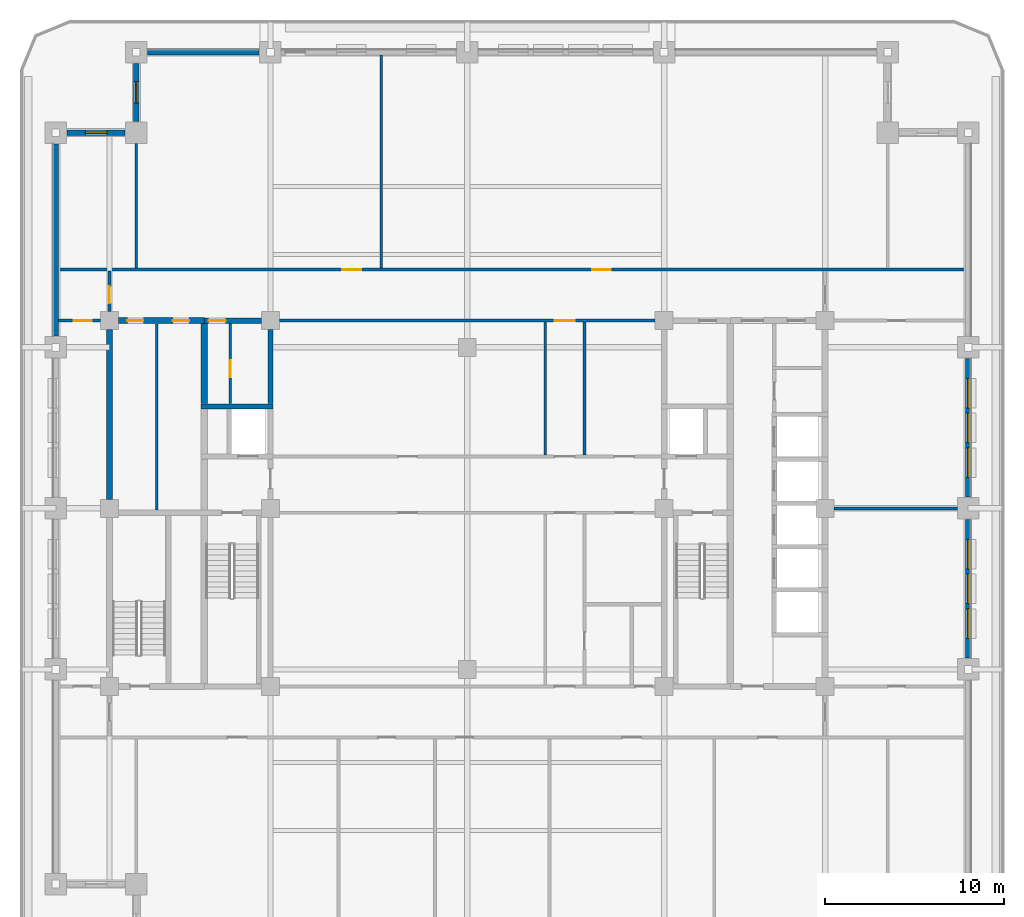
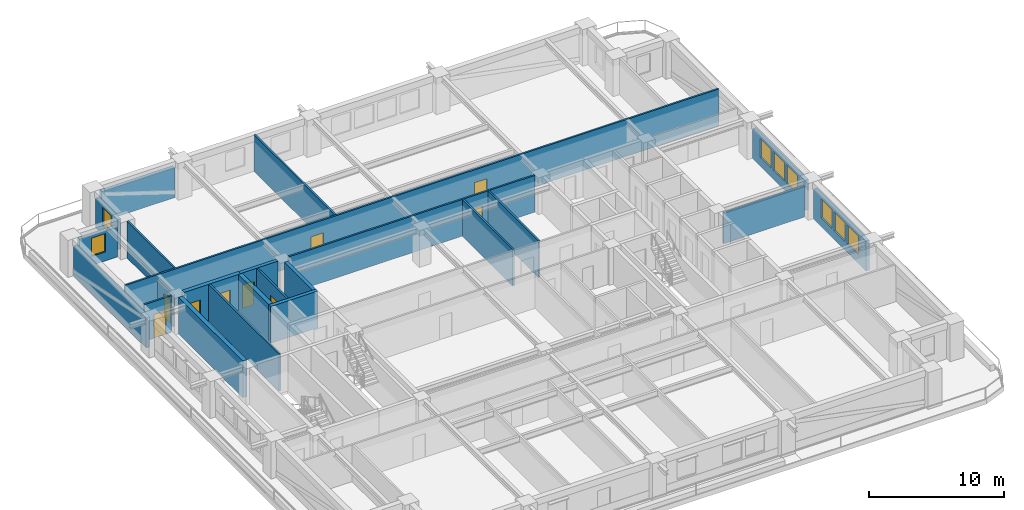
# One storey, part 5 of 13: 23 walls, 9 doors, 8 windows, 17 openings.
"""IFC4 building model written with IfcOpenShell, lengths in metres."""

from ifc_helpers import new_model, si_unit, direction, frame, frame_2d, origin, place, context, subcontext, project, spatial, rectangle, extrude, material, layer, layer_set, type_object, element, fill, save


model = new_model("IFC4")

# Units and contexts
model_context = context("Model", 3, precision=1e-05, world=origin(), true_north=direction((0.0, 1.0)))
body_context = subcontext(model_context, "Body", "Model", "MODEL_VIEW")
ifc_project = project(units=[si_unit("LENGTHUNIT", "METRE"), si_unit("AREAUNIT", "SQUARE_METRE"), si_unit("VOLUMEUNIT", "CUBIC_METRE"), si_unit("PLANEANGLEUNIT", "RADIAN"), si_unit("MASSUNIT", "GRAM", prefix="KILO")], contexts=[model_context])

# Site, building, storey
site_placement = place(None, origin())
site = spatial("IfcSite", under=ifc_project, at=site_placement, CompositionType="ELEMENT")
building_placement = place(site_placement, origin())
building = spatial("IfcBuilding", under=site, at=building_placement, Name="Zulmaris Gate Convention Tower", CompositionType="ELEMENT")
storey_placement = place(building_placement, frame((0.0, 0.0, 109.2099609375)))
storey = spatial("IfcBuildingStorey", under=building, at=storey_placement, Name="L27", CompositionType="ELEMENT", Elevation=109.2099609375)

# Wall
ifc_material_1 = material(Name="Concrete C50/60", Category="concrete")
ifc_layer_1 = layer(ifc_material_1, 0.300048828125, Name="Concrete C50/60")
ifc_layer_set_1 = layer_set([ifc_layer_1], Name="Concrete C50/60")
wall_type_1 = type_object("IfcWallType", Name="CORE-300", PredefinedType="SHEAR", material=ifc_layer_set_1)
wall_1_placement = place(storey_placement, frame((-14.875, 5.699951171875, 0.0), z_axis=(0.0, 0.0, 1.0), x_axis=(1.0, 0.0, 0.0)))
element("IfcWall", 1, at=wall_1_placement, inside=storey, type_object=wall_type_1, Name="WL-L27-015", PredefinedType="SHEAR", context=body_context, shape_type="SweptSolid", body=[
    extrude(rectangle(XDim=4.02490234375, YDim=0.300048828125, at=frame_2d((2.012451171875, 0.0))), origin(), (0.0, 0.0, 1.0), 3.320068359375),
])

# Wall, opening, door
wall_2_placement = place(storey_placement, frame((-14.699951171875, 10.5, 0.0), z_axis=(0.0, 0.0, 1.0), x_axis=(1.0, 0.0, 0.0)))
wall_2 = element("IfcWall", 2, at=wall_2_placement, inside=storey, type_object=wall_type_1, Name="WL-L27-018", PredefinedType="SHEAR", context=body_context, shape_type="SweptSolid", body=[
    extrude(rectangle(XDim=3.196044921875, YDim=0.300048828125, at=frame_2d((1.59814453125, 0.0))), origin(), (0.0, 0.0, 1.0), 3.320068359375),
])
opening_1_placement = place(wall_2_placement, frame((0.2451171875, 0.0, 0.0)))
opening_1 = element("IfcOpeningElement", 3, at=opening_1_placement, cuts=wall_2, Name="Opening D-11", PredefinedType="OPENING", context=body_context, shape_type="SweptSolid", body=[
    extrude(rectangle(XDim=0.949951171875, YDim=2.14990234375, at=frame_2d((0.47509765625, 1.074951171875))), frame((0.0, 0.16015625, 0.0), z_axis=(0.0, -1.0, 0.0), x_axis=(1.0, 0.0, 0.0)), (0.0, 0.0, 1.0), 0.320068359375),
])
ifc_material_2 = material(Name="Fire-Rated Timber", Category="wood")
door_type_1 = type_object("IfcDoorType", Name="DR-950-FD", OperationType="NOTDEFINED", PredefinedType="DOOR", material=ifc_material_2)
door_1_placement = place(opening_1_placement, origin())
door_1 = element("IfcDoor", 4, at=door_1_placement, inside=storey, type_object=door_type_1, Name="L27 Core Mail Room Door 07", OperationType="SINGLE_SWING_LEFT", OverallHeight=2.14990234375, OverallWidth=0.949951171875, PredefinedType="DOOR", context=body_context, shape_type="SweptSolid", body=[
    extrude(rectangle(XDim=0.949951171875, YDim=2.14990234375, at=frame_2d((0.47509765625, 1.074951171875))), frame((0.0, 0.02490234375, 0.0), z_axis=(0.0, -1.0, 0.0), x_axis=(1.0, 0.0, 0.0)), (0.0, 0.0, 1.0), 0.050048828125),
])
fill(opening_1, door_1)

# Wall
wall_3_placement = place(storey_placement, frame((-11.0, 5.85205078125, 0.0), z_axis=(0.0, 0.0, 1.0), x_axis=(0.0, 1.0, 0.0)))
element("IfcWall", 5, at=wall_3_placement, inside=storey, type_object=wall_type_1, Name="WL-L27-046", PredefinedType="SHEAR", context=body_context, shape_type="SweptSolid", body=[
    extrude(rectangle(XDim=4.14404296875, YDim=0.300048828125, at=frame_2d((2.072021484375, 0.0))), origin(), (0.0, 0.0, 1.0), 3.320068359375),
])

# Wall, openings, doors
ifc_material_3 = material(Name="Concrete C55/67", Category="concrete")
ifc_layer_2 = layer(ifc_material_3, 0.35009765625, Name="Concrete C55/67")
ifc_layer_set_2 = layer_set([ifc_layer_2], Name="Concrete C55/67")
wall_type_2 = type_object("IfcWallType", Name="CORE-350", PredefinedType="SHEAR", material=ifc_layer_set_2)
wall_4_placement = place(storey_placement, frame((-19.49609375, 10.5, 0.0), z_axis=(0.0, 0.0, 1.0), x_axis=(1.0, 0.0, 0.0)))
wall_4 = element("IfcWall", 6, at=wall_4_placement, inside=storey, type_object=wall_type_2, Name="WL-L27-017", PredefinedType="SHEAR", context=body_context, shape_type="SweptSolid", body=[
    extrude(rectangle(XDim=4.796142578125, YDim=0.35009765625, at=frame_2d((2.39794921875, 0.0))), origin(), (0.0, 0.0, 1.0), 3.320068359375),
])
opening_2_placement = place(wall_4_placement, frame((0.49609375, 0.0, 0.0)))
opening_2 = element("IfcOpeningElement", 7, at=opening_2_placement, cuts=wall_4, Name="Opening D-12", PredefinedType="OPENING", context=body_context, shape_type="SweptSolid", body=[
    extrude(rectangle(XDim=0.89990234375, YDim=2.14990234375, at=frame_2d((0.449951171875, 1.074951171875))), frame((0.0, 0.18505859375, 0.0), z_axis=(0.0, -1.0, 0.0), x_axis=(1.0, 0.0, 0.0)), (0.0, 0.0, 1.0), 0.3701171875),
])
opening_3_placement = place(wall_4_placement, frame((3.0458984375, 0.0, 0.0)))
opening_3 = element("IfcOpeningElement", 8, at=opening_3_placement, cuts=wall_4, Name="Opening D-12", PredefinedType="OPENING", context=body_context, shape_type="SweptSolid", body=[
    extrude(rectangle(XDim=0.89990234375, YDim=2.14990234375, at=frame_2d((0.449951171875, 1.074951171875))), frame((0.0, 0.18505859375, 0.0), z_axis=(0.0, -1.0, 0.0), x_axis=(1.0, 0.0, 0.0)), (0.0, 0.0, 1.0), 0.3701171875),
])
door_type_2 = type_object("IfcDoorType", Name="DR-900-FD", OperationType="NOTDEFINED", PredefinedType="DOOR", material=ifc_material_2)
door_2_placement = place(opening_2_placement, origin())
door_2 = element("IfcDoor", 9, at=door_2_placement, inside=storey, type_object=door_type_2, Name="L27 Server Room Door 11", OperationType="SINGLE_SWING_LEFT", OverallHeight=2.14990234375, OverallWidth=0.89990234375, PredefinedType="DOOR", context=body_context, shape_type="SweptSolid", body=[
    extrude(rectangle(XDim=0.89990234375, YDim=2.14990234375, at=frame_2d((0.449951171875, 1.074951171875))), frame((0.0, 0.02490234375, 0.0), z_axis=(0.0, -1.0, 0.0), x_axis=(1.0, 0.0, 0.0)), (0.0, 0.0, 1.0), 0.050048828125),
])
fill(opening_2, door_2)
door_3_placement = place(opening_3_placement, origin())
door_3 = element("IfcDoor", 10, at=door_3_placement, inside=storey, type_object=door_type_2, Name="L27 Reclaimed Pantry Door 12", OperationType="SINGLE_SWING_RIGHT", OverallHeight=2.14990234375, OverallWidth=0.89990234375, PredefinedType="DOOR", context=body_context, shape_type="SweptSolid", body=[
    extrude(rectangle(XDim=0.89990234375, YDim=2.14990234375, at=frame_2d((0.449951171875, 1.074951171875))), frame((0.0, 0.02490234375, 0.0), z_axis=(0.0, -1.0, 0.0), x_axis=(1.0, 0.0, 0.0)), (0.0, 0.0, 1.0), 0.050048828125),
])
fill(opening_3, door_3)

# Walls
wall_5_placement = place(storey_placement, frame((-20.0, 0.50390625, 0.0), z_axis=(0.0, 0.0, 1.0), x_axis=(0.0, 1.0, 0.0)))
element("IfcWall", 11, at=wall_5_placement, inside=storey, type_object=wall_type_2, Name="WL-L27-035", PredefinedType="SHEAR", context=body_context, shape_type="SweptSolid", body=[
    extrude(rectangle(XDim=9.4921875, YDim=0.35009765625, at=frame_2d((4.74609375, 0.0))), origin(), (0.0, 0.0, 1.0), 3.320068359375),
])
wall_6_placement = place(storey_placement, frame((-14.699951171875, 5.85205078125, 0.0), z_axis=(0.0, 0.0, 1.0), x_axis=(0.0, 1.0, 0.0)))
element("IfcWall", 12, at=wall_6_placement, inside=storey, type_object=wall_type_2, Name="WL-L27-040", PredefinedType="SHEAR", context=body_context, shape_type="SweptSolid", body=[
    extrude(rectangle(XDim=4.470947265625, YDim=0.35009765625, at=frame_2d((2.2353515625, 0.0))), origin(), (0.0, 0.0, 1.0), 3.320068359375),
])
ifc_material_4 = material(Name="Gypsum Metal Stud Partition")
ifc_layer_3 = layer(ifc_material_4, 0.14990234375, Name="Gypsum Metal Stud Partition")
ifc_layer_set_3 = layer_set([ifc_layer_3], Name="Gypsum Metal Stud Partition")
wall_type_3 = type_object("IfcWallType", Name="PART-150", PredefinedType="PARTITIONING", material=ifc_layer_set_3)
wall_7_placement = place(storey_placement, frame((20.506103515625, 0.0, 0.0), z_axis=(0.0, 0.0, 1.0), x_axis=(1.0, 0.0, 0.0)))
element("IfcWall", 13, at=wall_7_placement, inside=storey, type_object=wall_type_3, Name="WL-L27-027", PredefinedType="PARTITIONING", context=body_context, shape_type="SweptSolid", body=[
    extrude(rectangle(XDim=6.887939453125, YDim=0.14990234375, at=frame_2d((3.44384765625, 0.0))), origin(), (0.0, 0.0, 1.0), 2.81005859375),
])

# Wall, opening, door
wall_8_placement = place(storey_placement, frame((-22.8349609375, 10.5, 0.0), z_axis=(0.0, 0.0, 1.0), x_axis=(1.0, 0.0, 0.0)))
wall_8 = element("IfcWall", 14, at=wall_8_placement, inside=storey, type_object=wall_type_3, Name="WL-L27-030", PredefinedType="PARTITIONING", context=body_context, shape_type="SweptSolid", body=[
    extrude(rectangle(XDim=2.328857421875, YDim=0.14990234375, at=frame_2d((1.16455078125, 0.0))), origin(), (0.0, 0.0, 1.0), 3.320068359375),
])
opening_4_placement = place(wall_8_placement, frame((0.8349609375, 0.0, 0.0)))
opening_4 = element("IfcOpeningElement", 15, at=opening_4_placement, cuts=wall_8, Name="Opening D-10", PredefinedType="OPENING", context=body_context, shape_type="SweptSolid", body=[
    extrude(rectangle(XDim=1.0, YDim=2.14990234375, at=frame_2d((0.5, 1.074951171875))), frame((0.0, 0.0849609375, 0.0), z_axis=(0.0, -1.0, 0.0), x_axis=(1.0, 0.0, 0.0)), (0.0, 0.0, 1.0), 0.169921875),
])
door_type_3 = type_object("IfcDoorType", Name="DR-1000-FD", OperationType="NOTDEFINED", PredefinedType="DOOR", material=ifc_material_2)
door_4_placement = place(opening_4_placement, origin())
door_4 = element("IfcDoor", 16, at=door_4_placement, inside=storey, type_object=door_type_3, Name="L27 West Workplace North Door 40", OperationType="SINGLE_SWING_RIGHT", OverallHeight=2.14990234375, OverallWidth=1.0, PredefinedType="DOOR", context=body_context, shape_type="SweptSolid", body=[
    extrude(rectangle(XDim=1.0, YDim=2.14990234375, at=frame_2d((0.5, 1.074951171875))), frame((0.0, 0.02490234375, 0.0), z_axis=(0.0, -1.0, 0.0), x_axis=(1.0, 0.0, 0.0)), (0.0, 0.0, 1.0), 0.050048828125),
])
fill(opening_4, door_4)

wall_9_placement = place(storey_placement, frame((-10.493896484375, 10.5, 0.0), z_axis=(0.0, 0.0, 1.0), x_axis=(1.0, 0.0, 0.0)))
wall_9 = element("IfcWall", 17, at=wall_9_placement, inside=storey, type_object=wall_type_3, Name="WL-L27-031", PredefinedType="PARTITIONING", context=body_context, shape_type="SweptSolid", body=[
    extrude(rectangle(XDim=20.98779296875, YDim=0.14990234375, at=frame_2d((10.493896484375, 0.0))), origin(), (0.0, 0.0, 1.0), 3.320068359375),
])
opening_5_placement = place(wall_9_placement, frame((15.39404296875, 0.0, 0.0)))
opening_5 = element("IfcOpeningElement", 18, at=opening_5_placement, cuts=wall_9, Name="Opening D-08", PredefinedType="OPENING", context=body_context, shape_type="SweptSolid", body=[
    extrude(rectangle(XDim=1.10009765625, YDim=2.14990234375, at=frame_2d((0.550048828125, 1.074951171875))), frame((0.0, 0.0849609375, 0.0), z_axis=(0.0, -1.0, 0.0), x_axis=(1.0, 0.0, 0.0)), (0.0, 0.0, 1.0), 0.169921875),
])
ifc_material_5 = material(Name="Fire-Rated Steel", Category="steel")
door_type_4 = type_object("IfcDoorType", Name="DR-1100-FD", OperationType="NOTDEFINED", PredefinedType="DOOR", material=ifc_material_5)
door_5_placement = place(opening_5_placement, origin())
door_5 = element("IfcDoor", 19, at=door_5_placement, inside=storey, type_object=door_type_4, Name="L27 North Gallery Link Door 21", OperationType="SINGLE_SWING_LEFT", OverallHeight=2.14990234375, OverallWidth=1.10009765625, PredefinedType="DOOR", context=body_context, shape_type="SweptSolid", body=[
    extrude(rectangle(XDim=1.10009765625, YDim=2.14990234375, at=frame_2d((0.550048828125, 1.074951171875))), frame((0.0, 0.02490234375, 0.0), z_axis=(0.0, -1.0, 0.0), x_axis=(1.0, 0.0, 0.0)), (0.0, 0.0, 1.0), 0.050048828125),
])
fill(opening_5, door_5)

# Wall, openings, doors
wall_10_placement = place(storey_placement, frame((-22.8349609375, 13.35009765625, 0.0), z_axis=(0.0, 0.0, 1.0), x_axis=(1.0, 0.0, 0.0)))
wall_10 = element("IfcWall", 20, at=wall_10_placement, inside=storey, type_object=wall_type_3, Name="WL-L27-033", PredefinedType="PARTITIONING", context=body_context, shape_type="SweptSolid", body=[
    extrude(rectangle(XDim=50.669921875, YDim=0.14990234375, at=frame_2d((25.3349609375, 0.0))), origin(), (0.0, 0.0, 1.0), 3.320068359375),
])
opening_6_placement = place(wall_10_placement, frame((15.860107421875, 0.0, 0.0)))
opening_6 = element("IfcOpeningElement", 21, at=opening_6_placement, cuts=wall_10, Name="Opening D-09", PredefinedType="OPENING", context=body_context, shape_type="SweptSolid", body=[
    extrude(rectangle(XDim=1.050048828125, YDim=2.14990234375, at=frame_2d((0.52490234375, 1.074951171875))), frame((0.0, 0.0849609375, 0.0), z_axis=(0.0, -1.0, 0.0), x_axis=(1.0, 0.0, 0.0)), (0.0, 0.0, 1.0), 0.169921875),
])
opening_7_placement = place(wall_10_placement, frame((29.81005859375, 0.0, 0.0)))
opening_7 = element("IfcOpeningElement", 22, at=opening_7_placement, cuts=wall_10, Name="Opening D-09", PredefinedType="OPENING", context=body_context, shape_type="SweptSolid", body=[
    extrude(rectangle(XDim=1.050048828125, YDim=2.14990234375, at=frame_2d((0.52490234375, 1.074951171875))), frame((0.0, 0.0849609375, 0.0), z_axis=(0.0, -1.0, 0.0), x_axis=(1.0, 0.0, 0.0)), (0.0, 0.0, 1.0), 0.169921875),
])
door_type_5 = type_object("IfcDoorType", Name="DR-1050-FD", OperationType="NOTDEFINED", PredefinedType="DOOR", material=ifc_material_5)
door_6_placement = place(opening_6_placement, origin())
door_6 = element("IfcDoor", 23, at=door_6_placement, inside=storey, type_object=door_type_5, Name="L27 Delegate Business Lounge Door 25", OperationType="SINGLE_SWING_LEFT", OverallHeight=2.14990234375, OverallWidth=1.050048828125, PredefinedType="DOOR", context=body_context, shape_type="SweptSolid", body=[
    extrude(rectangle(XDim=1.050048828125, YDim=2.14990234375, at=frame_2d((0.52490234375, 1.074951171875))), frame((0.0, 0.02490234375, 0.0), z_axis=(0.0, -1.0, 0.0), x_axis=(1.0, 0.0, 0.0)), (0.0, 0.0, 1.0), 0.050048828125),
])
fill(opening_6, door_6)
door_7_placement = place(opening_7_placement, origin())
door_7 = element("IfcDoor", 24, at=door_7_placement, inside=storey, type_object=door_type_5, Name="L27 Commercial Advisory Office Door 26", OperationType="SINGLE_SWING_RIGHT", OverallHeight=2.14990234375, OverallWidth=1.050048828125, PredefinedType="DOOR", context=body_context, shape_type="SweptSolid", body=[
    extrude(rectangle(XDim=1.050048828125, YDim=2.14990234375, at=frame_2d((0.52490234375, 1.074951171875))), frame((0.0, 0.02490234375, 0.0), z_axis=(0.0, -1.0, 0.0), x_axis=(1.0, 0.0, 0.0)), (0.0, 0.0, 1.0), 0.050048828125),
])
fill(opening_7, door_7)

# Wall, opening, door
wall_11_placement = place(storey_placement, frame((-20.0, 11.006103515625, 0.0), z_axis=(0.0, 0.0, 1.0), x_axis=(0.0, 1.0, 0.0)))
wall_11 = element("IfcWall", 25, at=wall_11_placement, inside=storey, type_object=wall_type_3, Name="WL-L27-070", PredefinedType="PARTITIONING", context=body_context, shape_type="SweptSolid", body=[
    extrude(rectangle(XDim=2.265869140625, YDim=0.14990234375, at=frame_2d((1.1328125, 0.0))), origin(), (0.0, 0.0, 1.0), 2.81005859375),
])
opening_8_placement = place(wall_11_placement, frame((0.448974609375, 0.0, 0.0)))
opening_8 = element("IfcOpeningElement", 26, at=opening_8_placement, cuts=wall_11, Name="Opening D-11", PredefinedType="OPENING", context=body_context, shape_type="SweptSolid", body=[
    extrude(rectangle(XDim=0.949951171875, YDim=2.14990234375, at=frame_2d((0.47509765625, 1.074951171875))), frame((0.0, 0.0849609375, 0.0), z_axis=(0.0, -1.0, 0.0), x_axis=(1.0, 0.0, 0.0)), (0.0, 0.0, 1.0), 0.169921875),
])
door_8_placement = place(opening_8_placement, origin())
door_8 = element("IfcDoor", 27, at=door_8_placement, inside=storey, type_object=door_type_1, Name="L27 NW Spur Door 38", OperationType="SINGLE_SWING_RIGHT", OverallHeight=2.14990234375, OverallWidth=0.949951171875, PredefinedType="DOOR", context=body_context, shape_type="SweptSolid", body=[
    extrude(rectangle(XDim=0.949951171875, YDim=2.14990234375, at=frame_2d((0.47509765625, 1.074951171875))), frame((0.0, 0.02490234375, 0.0), z_axis=(0.0, -1.0, 0.0), x_axis=(1.0, 0.0, 0.0)), (0.0, 0.0, 1.0), 0.050048828125),
])
fill(opening_8, door_8)

# Walls
wall_12_placement = place(storey_placement, frame((-18.5, 13.427978515625, 0.0), z_axis=(0.0, 0.0, 1.0), x_axis=(0.0, 1.0, 0.0)))
element("IfcWall", 28, at=wall_12_placement, inside=storey, type_object=wall_type_3, Name="WL-L27-072", PredefinedType="PARTITIONING", context=body_context, shape_type="SweptSolid", body=[
    extrude(rectangle(XDim=6.966064453125, YDim=0.14990234375, at=frame_2d((3.48291015625, 0.0))), origin(), (0.0, 0.0, 1.0), 3.320068359375),
])
wall_13_placement = place(storey_placement, frame((-17.35009765625, -0.096923828125, 0.0), z_axis=(0.0, 0.0, 1.0), x_axis=(0.0, 1.0, 0.0)))
element("IfcWall", 29, at=wall_13_placement, inside=storey, type_object=wall_type_3, Name="WL-L27-073", PredefinedType="PARTITIONING", context=body_context, shape_type="SweptSolid", body=[
    extrude(rectangle(XDim=10.4189453125, YDim=0.14990234375, at=frame_2d((5.20947265625, 0.0))), origin(), (0.0, 0.0, 1.0), 3.320068359375),
])

# Wall, opening, door
wall_14_placement = place(storey_placement, frame((-13.25, 5.85302734375, 0.0), z_axis=(0.0, 0.0, 1.0), x_axis=(0.0, 1.0, 0.0)))
wall_14 = element("IfcWall", 30, at=wall_14_placement, inside=storey, type_object=wall_type_3, Name="WL-L27-074", PredefinedType="PARTITIONING", context=body_context, shape_type="SweptSolid", body=[
    extrude(rectangle(XDim=4.493896484375, YDim=0.14990234375, at=frame_2d((2.2470703125, 0.0))), origin(), (0.0, 0.0, 1.0), 3.320068359375),
])
opening_9_placement = place(wall_14_placement, frame((1.471923828125, 0.0, 0.0)))
opening_9 = element("IfcOpeningElement", 31, at=opening_9_placement, cuts=wall_14, Name="Opening D-11", PredefinedType="OPENING", context=body_context, shape_type="SweptSolid", body=[
    extrude(rectangle(XDim=0.949951171875, YDim=2.14990234375, at=frame_2d((0.47509765625, 1.074951171875))), frame((0.0, 0.0849609375, 0.0), z_axis=(0.0, -1.0, 0.0), x_axis=(1.0, 0.0, 0.0)), (0.0, 0.0, 1.0), 0.169921875),
])
door_9_placement = place(opening_9_placement, origin())
door_9 = element("IfcDoor", 32, at=door_9_placement, inside=storey, type_object=door_type_1, Name="L27 Core Janitor Door 08", OperationType="SINGLE_SWING_RIGHT", OverallHeight=2.14990234375, OverallWidth=0.949951171875, PredefinedType="DOOR", context=body_context, shape_type="SweptSolid", body=[
    extrude(rectangle(XDim=0.949951171875, YDim=2.14990234375, at=frame_2d((0.47509765625, 1.074951171875))), frame((0.0, 0.02490234375, 0.0), z_axis=(0.0, -1.0, 0.0), x_axis=(1.0, 0.0, 0.0)), (0.0, 0.0, 1.0), 0.050048828125),
])
fill(opening_9, door_9)

# Walls
wall_15_placement = place(storey_placement, frame((-4.800048828125, 13.427978515625, 0.0), z_axis=(0.0, 0.0, 1.0), x_axis=(0.0, 1.0, 0.0)))
element("IfcWall", 33, at=wall_15_placement, inside=storey, type_object=wall_type_3, Name="WL-L27-076", PredefinedType="PARTITIONING", context=body_context, shape_type="SweptSolid", body=[
    extrude(rectangle(XDim=11.906982421875, YDim=0.14990234375, at=frame_2d((5.95361328125, 0.0))), origin(), (0.0, 0.0, 1.0), 3.320068359375),
])
for number, where, z_axis, x_axis, name in (
    (34, (4.35009765625, 2.97802734375, 0.0), (0.0, 0.0, 1.0), (0.0, 1.0, 0.0), "WL-L27-079"),
    (35, (6.550048828125, 2.97802734375, 0.0), (0.0, 0.0, 1.0), (0.0, 1.0, 0.0), "WL-L27-083"),
):
    element("IfcWall", number, at=place(storey_placement, frame(where, z_axis=z_axis, x_axis=x_axis)), inside=storey, type_object=wall_type_3, Name=name, PredefinedType="PARTITIONING", context=body_context, shape_type="SweptSolid", body=[
        extrude(rectangle(XDim=7.444091796875, YDim=0.14990234375, at=frame_2d((3.72216796875, 0.0))), origin(), (0.0, 0.0, 1.0), 3.320068359375),
    ])

# Wall, opening, window
ifc_material_6 = material(Name="Precast concrete C40/50", Category="concrete")
ifc_layer_4 = layer(ifc_material_6, 0.300048828125, Name="Precast concrete C40/50")
ifc_layer_set_4 = layer_set([ifc_layer_4], Name="Precast concrete C40/50")
wall_type_4 = type_object("IfcWallType", Name="PRECAST-PIER-300", PredefinedType="STANDARD", material=ifc_layer_set_4)
wall_16_placement = place(storey_placement, frame((-18.5, 24.8701171875, 0.0), z_axis=(0.0, 0.0, 1.0), x_axis=(0.0, -1.0, 0.0)))
wall_16 = element("IfcWall", 36, at=wall_16_placement, inside=storey, type_object=wall_type_4, Name="EW-L27-NOTCH-NW1_0", PredefinedType="STANDARD", context=body_context, shape_type="SweptSolid", body=[
    extrude(rectangle(XDim=3.240234375, YDim=0.300048828125, at=frame_2d((1.6201171875, 0.0))), origin(), (0.0, 0.0, 1.0), 2.712158203125),
])
opening_10_placement = place(wall_16_placement, frame((1.02001953125, 0.0, 0.820068359375)))
opening_10 = element("IfcOpeningElement", 37, at=opening_10_placement, cuts=wall_16, Name="Opening W-04", PredefinedType="OPENING", context=body_context, shape_type="SweptSolid", body=[
    extrude(rectangle(XDim=1.199951171875, YDim=1.64990234375, at=frame_2d((0.60009765625, 0.824951171875))), frame((0.0, 0.16015625, 0.0), z_axis=(0.0, -1.0, 0.0), x_axis=(1.0, 0.0, 0.0)), (0.0, 0.0, 1.0), 0.320068359375),
])
ifc_material_7 = material(Name="Low-E Laminated Double Glazing in Aluminium Frame", Category="aluminium")
window_type_1 = type_object("IfcWindowType", Name="WIN-1200x2100", PartitioningType="SINGLE_PANEL", PredefinedType="WINDOW", material=ifc_material_7)
window_1_placement = place(opening_10_placement, origin())
window_1 = element("IfcWindow", 38, at=window_1_placement, inside=storey, type_object=window_type_1, Name="WN-EW-L27-NOTCH-NW1_0", OverallHeight=1.64990234375, OverallWidth=1.199951171875, PartitioningType="SINGLE_PANEL", PredefinedType="WINDOW", context=body_context, shape_type="SweptSolid", body=[
    extrude(rectangle(XDim=1.199951171875, YDim=1.64990234375, at=frame_2d((0.60009765625, 0.824951171875))), frame((0.0, 0.030029296875, 0.0), z_axis=(0.0, -1.0, 0.0), x_axis=(1.0, 0.0, 0.0)), (0.0, 0.0, 1.0), 0.06005859375),
])
fill(opening_10, window_1)

wall_17_placement = place(storey_placement, frame((-19.1298828125, 21.0, 0.0), z_axis=(0.0, 0.0, 1.0), x_axis=(-1.0, 0.0, 0.0)))
wall_17 = element("IfcWall", 39, at=wall_17_placement, inside=storey, type_object=wall_type_4, Name="EW-L27-NOTCH-NW2_0", PredefinedType="STANDARD", context=body_context, shape_type="SweptSolid", body=[
    extrude(rectangle(XDim=3.240234375, YDim=0.300048828125, at=frame_2d((1.6201171875, 0.0))), origin(), (0.0, 0.0, 1.0), 2.712158203125),
])
opening_11_placement = place(wall_17_placement, frame((1.02001953125, 0.0, 0.820068359375)))
opening_11 = element("IfcOpeningElement", 40, at=opening_11_placement, cuts=wall_17, Name="Opening W-04", PredefinedType="OPENING", context=body_context, shape_type="SweptSolid", body=[
    extrude(rectangle(XDim=1.199951171875, YDim=1.64990234375, at=frame_2d((0.60009765625, 0.824951171875))), frame((0.0, 0.16015625, 0.0), z_axis=(0.0, -1.0, 0.0), x_axis=(1.0, 0.0, 0.0)), (0.0, 0.0, 1.0), 0.320068359375),
])
window_2_placement = place(opening_11_placement, origin())
window_2 = element("IfcWindow", 41, at=window_2_placement, inside=storey, type_object=window_type_1, Name="WN-EW-L27-NOTCH-NW2_0", OverallHeight=1.64990234375, OverallWidth=1.199951171875, PartitioningType="SINGLE_PANEL", PredefinedType="WINDOW", context=body_context, shape_type="SweptSolid", body=[
    extrude(rectangle(XDim=1.199951171875, YDim=1.64990234375, at=frame_2d((0.60009765625, 0.824951171875))), frame((0.0, 0.030029296875, 0.0), z_axis=(0.0, -1.0, 0.0), x_axis=(1.0, 0.0, 0.0)), (0.0, 0.0, 1.0), 0.06005859375),
])
fill(opening_11, window_2)

# Wall
wall_18_placement = place(storey_placement, frame((-11.6298828125, 25.5, 0.0), z_axis=(0.0, 0.0, 1.0), x_axis=(-1.0, 0.0, 0.0)))
element("IfcWall", 42, at=wall_18_placement, inside=storey, type_object=wall_type_4, Name="EW-L27-N-0_0", PredefinedType="STANDARD", context=body_context, shape_type="SweptSolid", body=[
    extrude(rectangle(XDim=6.240234375, YDim=0.300048828125, at=frame_2d((3.1201171875, 0.0))), origin(), (0.0, 0.0, 1.0), 2.712158203125),
])

# Wall, openings, windows
wall_19_placement = place(storey_placement, frame((28.0, -8.3701171875, 0.0), z_axis=(0.0, 0.0, 1.0), x_axis=(0.0, 1.0, 0.0)))
wall_19 = element("IfcWall", 43, at=wall_19_placement, inside=storey, type_object=wall_type_4, Name="EW-L27-E-1_0", PredefinedType="STANDARD", context=body_context, shape_type="SweptSolid", body=[
    extrude(rectangle(XDim=7.740234375, YDim=0.300048828125, at=frame_2d((3.8701171875, 0.0))), origin(), (0.0, 0.0, 1.0), 2.712158203125),
])
opening_12_placement = place(wall_19_placement, frame((1.110107421875, 0.0, 0.800048828125)))
opening_12 = element("IfcOpeningElement", 44, at=opening_12_placement, cuts=wall_19, Name="Opening W-08", PredefinedType="OPENING", context=body_context, shape_type="SweptSolid", body=[
    extrude(rectangle(XDim=1.64990234375, YDim=1.699951171875, at=frame_2d((0.824951171875, 0.85009765625))), frame((0.0, 0.16015625, 0.0), z_axis=(0.0, -1.0, 0.0), x_axis=(1.0, 0.0, 0.0)), (0.0, 0.0, 1.0), 0.320068359375),
])
opening_13_placement = place(wall_19_placement, frame((3.044921875, 0.0, 0.800048828125)))
opening_13 = element("IfcOpeningElement", 45, at=opening_13_placement, cuts=wall_19, Name="Opening W-08", PredefinedType="OPENING", context=body_context, shape_type="SweptSolid", body=[
    extrude(rectangle(XDim=1.64990234375, YDim=1.699951171875, at=frame_2d((0.824951171875, 0.85009765625))), frame((0.0, 0.16015625, 0.0), z_axis=(0.0, -1.0, 0.0), x_axis=(1.0, 0.0, 0.0)), (0.0, 0.0, 1.0), 0.320068359375),
])
opening_14_placement = place(wall_19_placement, frame((4.97998046875, 0.0, 0.800048828125)))
opening_14 = element("IfcOpeningElement", 46, at=opening_14_placement, cuts=wall_19, Name="Opening W-08", PredefinedType="OPENING", context=body_context, shape_type="SweptSolid", body=[
    extrude(rectangle(XDim=1.64990234375, YDim=1.699951171875, at=frame_2d((0.824951171875, 0.85009765625))), frame((0.0, 0.16015625, 0.0), z_axis=(0.0, -1.0, 0.0), x_axis=(1.0, 0.0, 0.0)), (0.0, 0.0, 1.0), 0.320068359375),
])
window_type_2 = type_object("IfcWindowType", Name="WIN-1650x2150", PartitioningType="SINGLE_PANEL", PredefinedType="WINDOW", material=ifc_material_7)
window_3_placement = place(opening_12_placement, origin())
window_3 = element("IfcWindow", 47, at=window_3_placement, inside=storey, type_object=window_type_2, Name="WN-EW-L27-E-1_0-1", OverallHeight=1.699951171875, OverallWidth=1.64990234375, PartitioningType="SINGLE_PANEL", PredefinedType="WINDOW", context=body_context, shape_type="SweptSolid", body=[
    extrude(rectangle(XDim=1.64990234375, YDim=1.699951171875, at=frame_2d((0.824951171875, 0.85009765625))), frame((0.0, 0.030029296875, 0.0), z_axis=(0.0, -1.0, 0.0), x_axis=(1.0, 0.0, 0.0)), (0.0, 0.0, 1.0), 0.06005859375),
])
fill(opening_12, window_3)
window_4_placement = place(opening_13_placement, origin())
window_4 = element("IfcWindow", 48, at=window_4_placement, inside=storey, type_object=window_type_2, Name="WN-EW-L27-E-1_0-2", OverallHeight=1.699951171875, OverallWidth=1.64990234375, PartitioningType="SINGLE_PANEL", PredefinedType="WINDOW", context=body_context, shape_type="SweptSolid", body=[
    extrude(rectangle(XDim=1.64990234375, YDim=1.699951171875, at=frame_2d((0.824951171875, 0.85009765625))), frame((0.0, 0.030029296875, 0.0), z_axis=(0.0, -1.0, 0.0), x_axis=(1.0, 0.0, 0.0)), (0.0, 0.0, 1.0), 0.06005859375),
])
fill(opening_13, window_4)
window_5_placement = place(opening_14_placement, origin())
window_5 = element("IfcWindow", 49, at=window_5_placement, inside=storey, type_object=window_type_2, Name="WN-EW-L27-E-1_0-3", OverallHeight=1.699951171875, OverallWidth=1.64990234375, PartitioningType="SINGLE_PANEL", PredefinedType="WINDOW", context=body_context, shape_type="SweptSolid", body=[
    extrude(rectangle(XDim=1.64990234375, YDim=1.699951171875, at=frame_2d((0.824951171875, 0.85009765625))), frame((0.0, 0.030029296875, 0.0), z_axis=(0.0, -1.0, 0.0), x_axis=(1.0, 0.0, 0.0)), (0.0, 0.0, 1.0), 0.06005859375),
])
fill(opening_14, window_5)

wall_20_placement = place(storey_placement, frame((28.0, 0.6298828125, 0.0), z_axis=(0.0, 0.0, 1.0), x_axis=(0.0, 1.0, 0.0)))
wall_20 = element("IfcWall", 50, at=wall_20_placement, inside=storey, type_object=wall_type_4, Name="EW-L27-E-2_0", PredefinedType="STANDARD", context=body_context, shape_type="SweptSolid", body=[
    extrude(rectangle(XDim=7.740234375, YDim=0.300048828125, at=frame_2d((3.8701171875, 0.0))), origin(), (0.0, 0.0, 1.0), 2.712158203125),
])
opening_15_placement = place(wall_20_placement, frame((1.110107421875, 0.0, 0.800048828125)))
opening_15 = element("IfcOpeningElement", 51, at=opening_15_placement, cuts=wall_20, Name="Opening W-08", PredefinedType="OPENING", context=body_context, shape_type="SweptSolid", body=[
    extrude(rectangle(XDim=1.64990234375, YDim=1.699951171875, at=frame_2d((0.824951171875, 0.85009765625))), frame((0.0, 0.16015625, 0.0), z_axis=(0.0, -1.0, 0.0), x_axis=(1.0, 0.0, 0.0)), (0.0, 0.0, 1.0), 0.320068359375),
])
opening_16_placement = place(wall_20_placement, frame((3.044921875, 0.0, 0.800048828125)))
opening_16 = element("IfcOpeningElement", 52, at=opening_16_placement, cuts=wall_20, Name="Opening W-08", PredefinedType="OPENING", context=body_context, shape_type="SweptSolid", body=[
    extrude(rectangle(XDim=1.64990234375, YDim=1.699951171875, at=frame_2d((0.824951171875, 0.85009765625))), frame((0.0, 0.16015625, 0.0), z_axis=(0.0, -1.0, 0.0), x_axis=(1.0, 0.0, 0.0)), (0.0, 0.0, 1.0), 0.320068359375),
])
opening_17_placement = place(wall_20_placement, frame((4.97998046875, 0.0, 0.800048828125)))
opening_17 = element("IfcOpeningElement", 53, at=opening_17_placement, cuts=wall_20, Name="Opening W-08", PredefinedType="OPENING", context=body_context, shape_type="SweptSolid", body=[
    extrude(rectangle(XDim=1.64990234375, YDim=1.699951171875, at=frame_2d((0.824951171875, 0.85009765625))), frame((0.0, 0.16015625, 0.0), z_axis=(0.0, -1.0, 0.0), x_axis=(1.0, 0.0, 0.0)), (0.0, 0.0, 1.0), 0.320068359375),
])
window_6_placement = place(opening_15_placement, origin())
window_6 = element("IfcWindow", 54, at=window_6_placement, inside=storey, type_object=window_type_2, Name="WN-EW-L27-E-2_0-1", OverallHeight=1.699951171875, OverallWidth=1.64990234375, PartitioningType="SINGLE_PANEL", PredefinedType="WINDOW", context=body_context, shape_type="SweptSolid", body=[
    extrude(rectangle(XDim=1.64990234375, YDim=1.699951171875, at=frame_2d((0.824951171875, 0.85009765625))), frame((0.0, 0.030029296875, 0.0), z_axis=(0.0, -1.0, 0.0), x_axis=(1.0, 0.0, 0.0)), (0.0, 0.0, 1.0), 0.06005859375),
])
fill(opening_15, window_6)
window_7_placement = place(opening_16_placement, origin())
window_7 = element("IfcWindow", 55, at=window_7_placement, inside=storey, type_object=window_type_2, Name="WN-EW-L27-E-2_0-2", OverallHeight=1.699951171875, OverallWidth=1.64990234375, PartitioningType="SINGLE_PANEL", PredefinedType="WINDOW", context=body_context, shape_type="SweptSolid", body=[
    extrude(rectangle(XDim=1.64990234375, YDim=1.699951171875, at=frame_2d((0.824951171875, 0.85009765625))), frame((0.0, 0.030029296875, 0.0), z_axis=(0.0, -1.0, 0.0), x_axis=(1.0, 0.0, 0.0)), (0.0, 0.0, 1.0), 0.06005859375),
])
fill(opening_16, window_7)
window_8_placement = place(opening_17_placement, origin())
window_8 = element("IfcWindow", 56, at=window_8_placement, inside=storey, type_object=window_type_2, Name="WN-EW-L27-E-2_0-3", OverallHeight=1.699951171875, OverallWidth=1.64990234375, PartitioningType="SINGLE_PANEL", PredefinedType="WINDOW", context=body_context, shape_type="SweptSolid", body=[
    extrude(rectangle(XDim=1.64990234375, YDim=1.699951171875, at=frame_2d((0.824951171875, 0.85009765625))), frame((0.0, 0.030029296875, 0.0), z_axis=(0.0, -1.0, 0.0), x_axis=(1.0, 0.0, 0.0)), (0.0, 0.0, 1.0), 0.06005859375),
])
fill(opening_17, window_8)

# Wall
wall_21_placement = place(storey_placement, frame((-23.0, 20.3701171875, 0.0), z_axis=(0.0, 0.0, 1.0), x_axis=(0.0, -1.0, 0.0)))
element("IfcWall", 57, at=wall_21_placement, inside=storey, type_object=wall_type_4, Name="EW-L27-W-3_0", PredefinedType="STANDARD", context=body_context, shape_type="SweptSolid", body=[
    extrude(rectangle(XDim=10.740234375, YDim=0.300048828125, at=frame_2d((5.3701171875, 0.0))), origin(), (0.0, 0.0, 1.0), 2.712158203125),
])

save(model, "model.ifc")
